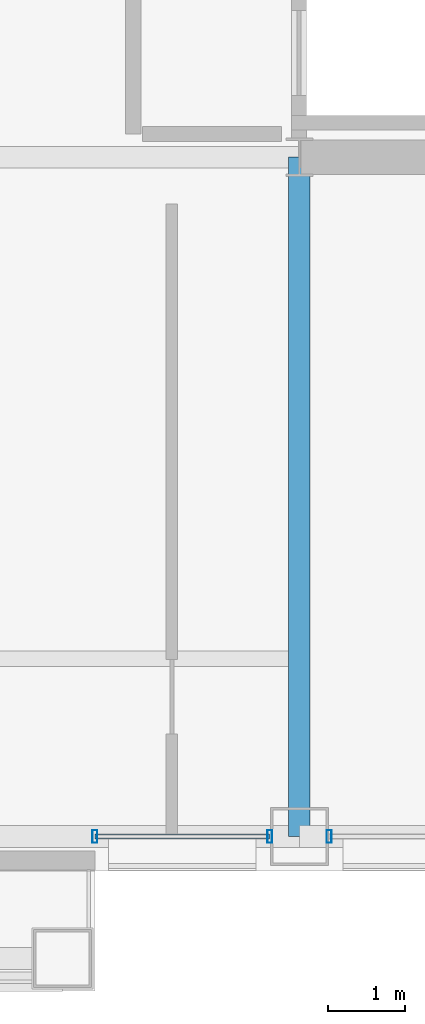
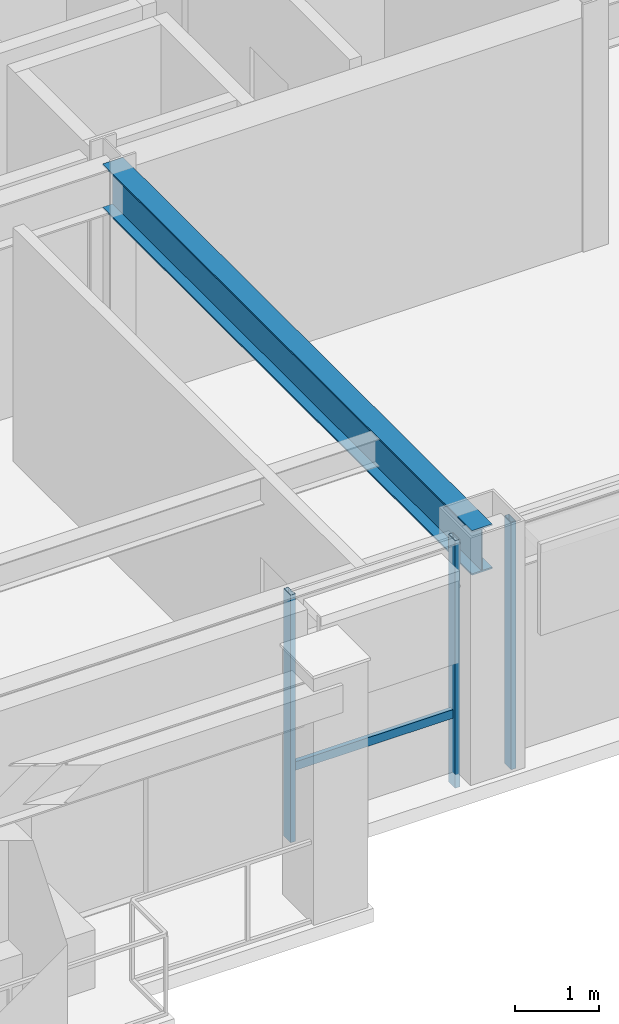
# One storey, part 8 of 31: 4 members, 1 beam, 2 elements without a shape of their own.
"""IFC4 building model written with IfcOpenShell, lengths in metres."""

from ifc_helpers import new_model, si_unit, direction, frame, origin, origin_2d, place, context, subcontext, project, spatial, hollow_rectangle, i_section, extrude, material, layer, layer_set, material_profile, profile_set, type_object, element, aggregate, save


model = new_model("IFC4")

# Units and contexts
model_context = context("Model", 3, precision=1e-05, world=origin(), true_north=direction((0.0, 1.0)))
body_context = subcontext(model_context, "Body", "Model", "MODEL_VIEW")
ifc_project = project(units=[si_unit("LENGTHUNIT", "METRE"), si_unit("AREAUNIT", "SQUARE_METRE"), si_unit("VOLUMEUNIT", "CUBIC_METRE"), si_unit("PLANEANGLEUNIT", "RADIAN"), si_unit("MASSUNIT", "GRAM", prefix="KILO")], contexts=[model_context])

# Site, building, storey
site_placement = place(None, origin())
site = spatial("IfcSite", under=ifc_project, at=site_placement, CompositionType="ELEMENT")
building_placement = place(site_placement, origin())
building = spatial("IfcBuilding", under=site, at=building_placement, Name="Brelmoor Portico Tower", CompositionType="ELEMENT")
storey_placement = place(building_placement, frame((0.0, 0.0, 176.699951171875)))
storey = spatial("IfcBuildingStorey", under=building, at=storey_placement, Name="L46", CompositionType="ELEMENT", Elevation=176.699951171875)

# Beam
ifc_material_1 = material(Name="Steel Q355B", Category="steel")
ifc_material_profile_1 = material_profile(ifc_material_1, i_section(OverallWidth=0.280029296875, OverallDepth=0.64990234375, WebThickness=0.012939453125, FlangeThickness=0.02197265625, at=origin_2d()), Name="HN 650x280x13x22")
ifc_profile_set_1 = profile_set([ifc_material_profile_1], Name="Steel Q355B")
beam_type = type_object("IfcBeamType", Name="BM-PG-650", PredefinedType="BEAM", material=ifc_profile_set_1)
beam_placement = place(storey_placement, frame((8.050048828125, -18.550048828125, 3.074951171875), z_axis=(0.0, 1.0, 0.0), x_axis=(-1.0, 0.0, 0.0)))
element("IfcBeam", 1, at=beam_placement, inside=storey, type_object=beam_type, Name="L46 Primary Floor Girder PG-06", PredefinedType="BEAM", context=body_context, shape_type="SweptSolid", body=[
    extrude(i_section(OverallWidth=0.280029296875, OverallDepth=0.64990234375, WebThickness=0.012939453125, FlangeThickness=0.02197265625, at=origin_2d()), origin(), (0.0, 0.0, 1.0), 8.800048828125),
])

# Curtain wall, members
ifc_material_2 = material(Name="Anodised Aluminium Alloy 6063-T6", Category="aluminium")
ifc_layer_1 = layer(ifc_material_2, 0.179931640625)
ifc_layer_set_1 = layer_set([ifc_layer_1], Name="Anodised Aluminium Alloy 6063-T6")
curtain_wall_type_1 = type_object("IfcCurtainWallType", Name="CW-TOWER-Z3", PredefinedType="NOTDEFINED", material=ifc_layer_set_1)
curtain_wall_1_placement = place(storey_placement, origin())
curtain_wall_1 = element("IfcCurtainWall", 2, at=curtain_wall_1_placement, inside=storey, type_object=curtain_wall_type_1, Name="L46 Curtain Wall CW-L46-1R-1", PredefinedType="NOTDEFINED")
ifc_material_profile_2 = material_profile(ifc_material_2, hollow_rectangle(XDim=0.06494140625, YDim=0.1650390625, WallThickness=0.00390625, at=origin_2d()), Name="ALU MULLION 65x165")
ifc_profile_set_2 = profile_set([ifc_material_profile_2], Name="Anodised Aluminium Alloy 6063-T6")
member_type_1 = type_object("IfcMemberType", Name="MB-CW-MULL-165", PredefinedType="MULLION", material=ifc_profile_set_2)
member_1_placement = place(storey_placement, frame((5.39990234375, -18.550048828125, -0.199951171875), z_axis=(0.0, 0.0, 1.0), x_axis=(1.0, 0.0, 0.0)))
member_1 = element("IfcMember", 3, at=member_1_placement, type_object=member_type_1, Name="CW-L46-1R-1 Mullion 00", PredefinedType="MULLION", context=body_context, shape_type="SweptSolid", body=[
    extrude(hollow_rectangle(XDim=0.06494140625, YDim=0.1650390625, WallThickness=0.00390625, at=origin_2d()), origin(), (0.0, 0.0, 1.0), 3.60009765625),
])
member_2_placement = place(storey_placement, frame((7.6650390625, -18.550048828125, -0.199951171875), z_axis=(0.0, 0.0, 1.0), x_axis=(1.0, 0.0, 0.0)))
member_2 = element("IfcMember", 4, at=member_2_placement, type_object=member_type_1, Name="CW-L46-1R-1 Mullion 01", PredefinedType="MULLION", context=body_context, shape_type="SweptSolid", body=[
    extrude(hollow_rectangle(XDim=0.06494140625, YDim=0.1650390625, WallThickness=0.00390625, at=origin_2d()), origin(), (0.0, 0.0, 1.0), 3.60009765625),
])

# Curtain wall, member
ifc_layer_2 = layer(ifc_material_2, 0.179931640625)
ifc_layer_set_2 = layer_set([ifc_layer_2], Name="Anodised Aluminium Alloy 6063-T6")
curtain_wall_type_2 = type_object("IfcCurtainWallType", Name="CW-TOWER-Z3-XB", PredefinedType="NOTDEFINED", material=ifc_layer_set_2)
curtain_wall_2_placement = place(storey_placement, origin())
curtain_wall_2 = element("IfcCurtainWall", 5, at=curtain_wall_2_placement, inside=storey, type_object=curtain_wall_type_2, Name="L46 Curtain Wall CW-L46-1R-2", PredefinedType="NOTDEFINED")
member_3_placement = place(storey_placement, frame((8.43505859375, -18.550048828125, -0.199951171875), z_axis=(0.0, 0.0, 1.0), x_axis=(1.0, 0.0, 0.0)))
member_3 = element("IfcMember", 6, at=member_3_placement, type_object=member_type_1, Name="CW-L46-1R-2 Mullion 00", PredefinedType="MULLION", context=body_context, shape_type="SweptSolid", body=[
    extrude(hollow_rectangle(XDim=0.06494140625, YDim=0.1650390625, WallThickness=0.00390625, at=origin_2d()), origin(), (0.0, 0.0, 1.0), 3.60009765625),
])
aggregate(curtain_wall_2, [member_3])

# Member
ifc_material_profile_3 = material_profile(ifc_material_2, hollow_rectangle(XDim=0.06005859375, YDim=0.125, WallThickness=0.00341796875, at=origin_2d()), Name="ALU TRANSOM 60x125")
ifc_profile_set_3 = profile_set([ifc_material_profile_3], Name="Anodised Aluminium Alloy 6063-T6")
member_type_2 = type_object("IfcMemberType", Name="MB-CW-TRAN-125", PredefinedType="USERDEFINED", material=ifc_profile_set_3)
member_4_placement = place(storey_placement, frame((5.39990234375, -18.550048828125, 0.85009765625), z_axis=(1.0, 0.0, 0.0), x_axis=(0.0, 1.0, 0.0)))
member_4 = element("IfcMember", 7, at=member_4_placement, type_object=member_type_2, Name="CW-L46-1R-1 Transom 1-00", ObjectType="TRANSOM", PredefinedType="USERDEFINED", context=body_context, shape_type="SweptSolid", body=[
    extrude(hollow_rectangle(XDim=0.06005859375, YDim=0.125, WallThickness=0.00341796875, at=origin_2d()), origin(), (0.0, 0.0, 1.0), 2.26513671875),
])

aggregate(curtain_wall_1, [member_1, member_2, member_4])

save(model, "model.ifc")
